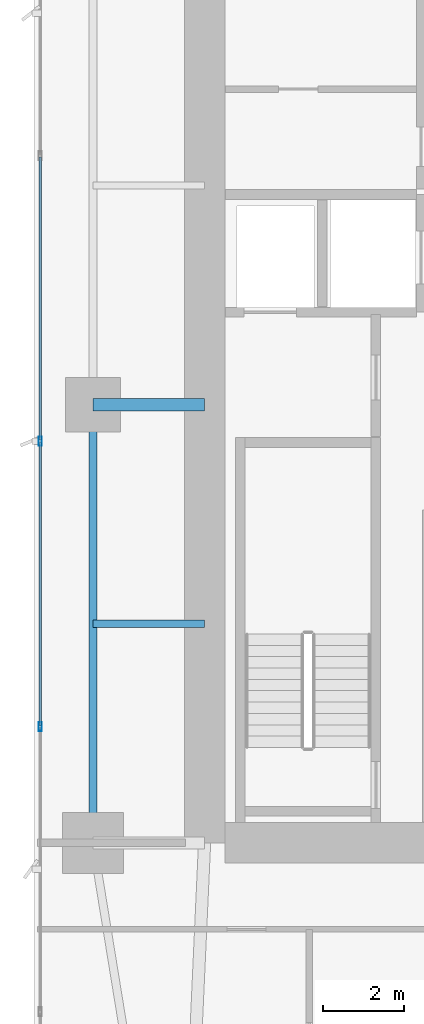
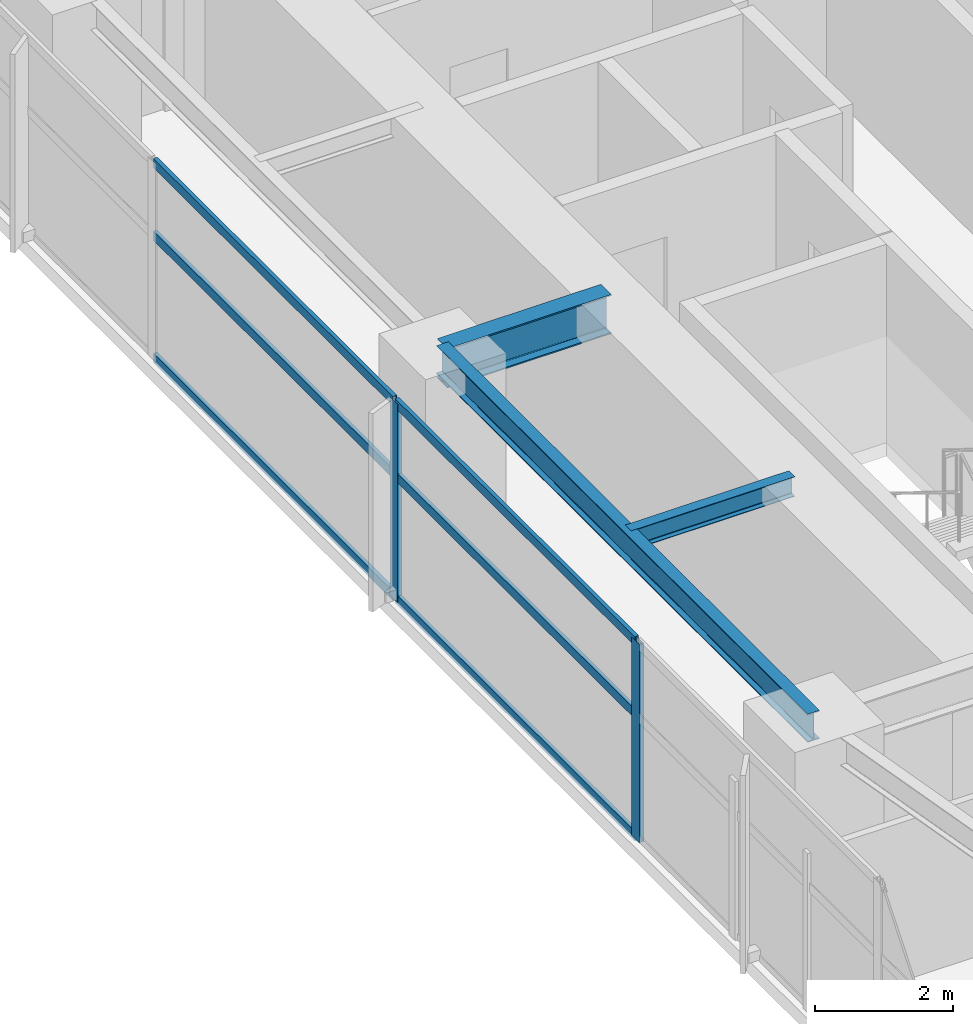
# One storey, part 7 of 28: 8 members, 3 beams, 1 element without a shape of its own.
"""IFC4 building model written with IfcOpenShell, lengths in metres."""

from ifc_helpers import new_model, si_unit, direction, frame, origin, origin_2d, place, context, subcontext, project, spatial, hollow_rectangle, i_section, extrude, material, layer, layer_set, material_profile, profile_set, type_object, element, aggregate, save


model = new_model("IFC4")

# Units and contexts
model_context = context("Model", 3, precision=1e-05, world=origin(), true_north=direction((0.0, 1.0)))
body_context = subcontext(model_context, "Body", "Model", "MODEL_VIEW")
ifc_project = project(units=[si_unit("LENGTHUNIT", "METRE"), si_unit("AREAUNIT", "SQUARE_METRE"), si_unit("VOLUMEUNIT", "CUBIC_METRE"), si_unit("PLANEANGLEUNIT", "RADIAN"), si_unit("MASSUNIT", "GRAM", prefix="KILO")], contexts=[model_context])

# Site, building, storey
site_placement = place(None, origin())
site = spatial("IfcSite", under=ifc_project, at=site_placement, CompositionType="ELEMENT")
building_placement = place(site_placement, origin())
building = spatial("IfcBuilding", under=site, at=building_placement, Name="Calvorn Quay Hotel", CompositionType="ELEMENT")
storey_placement = place(building_placement, frame((0.0, 0.0, 88.800048828125)))
storey = spatial("IfcBuildingStorey", under=building, at=storey_placement, Name="L21", CompositionType="ELEMENT", Elevation=88.800048828125)

# Beams
ifc_material_1 = material(Name="Steel Q390GJC", Category="steel")
ifc_material_profile_1 = material_profile(ifc_material_1, i_section(OverallWidth=0.300048828125, OverallDepth=0.699951171875, WebThickness=0.012939453125, FlangeThickness=0.02392578125, FilletRadius=0.02392578125, at=origin_2d()), Name="HN700x300x13x24")
ifc_profile_set_1 = profile_set([ifc_material_profile_1], Name="Steel Q390GJC")
beam_type_1 = type_object("IfcBeamType", Name="BM-GIRD-MAIN", PredefinedType="BEAM", material=ifc_profile_set_1)
beam_1_placement = place(storey_placement, frame((1.449951171875, 27.60009765625, 3.169921875), z_axis=(1.0, 0.0, 0.0), x_axis=(0.0, 1.0, 0.0)))
element("IfcBeam", 1, at=beam_1_placement, inside=storey, type_object=beam_type_1, Name="Beam BG-L21-W2", PredefinedType="BEAM", context=body_context, shape_type="SweptSolid", body=[
    extrude(i_section(OverallWidth=0.300048828125, OverallDepth=0.699951171875, WebThickness=0.012939453125, FlangeThickness=0.02392578125, FilletRadius=0.02392578125, at=origin_2d()), origin(), (0.0, 0.0, 1.0), 2.75),
])
ifc_material_2 = material(Name="Steel Q355B", Category="steel")
ifc_material_profile_2 = material_profile(ifc_material_2, i_section(OverallWidth=0.175048828125, OverallDepth=0.35009765625, WebThickness=0.007080078125, FlangeThickness=0.010986328125, FilletRadius=0.013916015625, at=origin_2d()), Name="HN350x175x7x11")
ifc_profile_set_2 = profile_set([ifc_material_profile_2], Name="Steel Q355B")
beam_type_2 = type_object("IfcBeamType", Name="BM-JOIST-SEC", PredefinedType="JOIST", material=ifc_profile_set_2)
beam_2_placement = place(storey_placement, frame((1.449951171875, 22.199951171875, 3.344970703125), z_axis=(1.0, 0.0, 0.0), x_axis=(0.0, 1.0, 0.0)))
element("IfcBeam", 2, at=beam_2_placement, inside=storey, type_object=beam_type_2, Name="Beam BJ-L21-W3", PredefinedType="JOIST", context=body_context, shape_type="SweptSolid", body=[
    extrude(i_section(OverallWidth=0.175048828125, OverallDepth=0.35009765625, WebThickness=0.007080078125, FlangeThickness=0.010986328125, FilletRadius=0.013916015625, at=origin_2d()), origin(), (0.0, 0.0, 1.0), 2.75),
])
ifc_material_3 = material(Name="Steel Q355B", Category="steel")
ifc_material_profile_3 = material_profile(ifc_material_3, i_section(OverallWidth=0.199951171875, OverallDepth=0.5, WebThickness=0.010009765625, FlangeThickness=0.01611328125, FilletRadius=0.01611328125, at=origin_2d()), Name="HN500x200x10x16")
ifc_profile_set_3 = profile_set([ifc_material_profile_3], Name="Steel Q355B")
beam_type_3 = type_object("IfcBeamType", Name="BM-SPANDREL-Z1", PredefinedType="SPANDREL", material=ifc_profile_set_3)
beam_3_placement = place(storey_placement, frame((1.449951171875, 16.800048828125, 3.27001953125), z_axis=(0.0, 1.0, 0.0), x_axis=(-1.0, 0.0, 0.0)))
element("IfcBeam", 3, at=beam_3_placement, inside=storey, type_object=beam_type_3, Name="Beam BSP-L21-W2", PredefinedType="SPANDREL", context=body_context, shape_type="SweptSolid", body=[
    extrude(i_section(OverallWidth=0.199951171875, OverallDepth=0.5, WebThickness=0.010009765625, FlangeThickness=0.01611328125, FilletRadius=0.01611328125, at=origin_2d()), origin(), (0.0, 0.0, 1.0), 10.800048828125),
])

# Curtain wall, members
ifc_material_4 = material(Name="Pale Anodised Aluminium and Low-E Glass", Category="aluminium")
ifc_layer = layer(ifc_material_4, 0.219970703125)
ifc_layer_set = layer_set([ifc_layer], Name="CW-SYS-Z1")
curtain_wall_type = type_object("IfcCurtainWallType", Name="CW-SYS-Z1", PredefinedType="NOTDEFINED", material=ifc_layer_set)
curtain_wall_placement = place(storey_placement, origin())
curtain_wall = element("IfcCurtainWall", 4, at=curtain_wall_placement, inside=storey, type_object=curtain_wall_type, Name="Tower West Curtain Wall (L21)", PredefinedType="NOTDEFINED")
ifc_material_5 = material(Name="Pale Anodised Aluminium 6063-T6", Category="aluminium")
ifc_material_profile_4 = material_profile(ifc_material_5, hollow_rectangle(XDim=0.074951171875, YDim=0.219970703125, WallThickness=0.00439453125, at=origin_2d()), Name="ALU-M220x75x4.5")
ifc_profile_set_4 = profile_set([ifc_material_profile_4], Name="Pale Anodised Aluminium 6063-T6")
member_type_1 = type_object("IfcMemberType", Name="CW-SYS-Z1-MUL", PredefinedType="MULLION", material=ifc_profile_set_4)
member_1_placement = place(storey_placement, frame((0.14990234375, 19.666748046875, 0.0), z_axis=(0.0, 0.0, 1.0), x_axis=(-1.0, 0.0, 0.0)))
member_1 = element("IfcMember", 5, at=member_1_placement, type_object=member_type_1, Name="CW-L21-W mullion 3", PredefinedType="MULLION", context=body_context, shape_type="SweptSolid", body=[
    extrude(hollow_rectangle(XDim=0.074951171875, YDim=0.219970703125, WallThickness=0.00439453125, at=origin_2d()), origin(), (0.0, 0.0, 1.0), 3.52001953125),
])
member_2_placement = place(storey_placement, frame((0.14990234375, 26.699951171875, 0.0), z_axis=(0.0, 0.0, 1.0), x_axis=(-1.0, 0.0, 0.0)))
member_2 = element("IfcMember", 6, at=member_2_placement, type_object=member_type_1, Name="CW-L21-W mullion 4", PredefinedType="MULLION", context=body_context, shape_type="SweptSolid", body=[
    extrude(hollow_rectangle(XDim=0.074951171875, YDim=0.219970703125, WallThickness=0.00439453125, at=origin_2d()), origin(), (0.0, 0.0, 1.0), 3.52001953125),
])
ifc_material_6 = material(Name="Pale Anodised Aluminium 6063-T6", Category="aluminium")
ifc_material_profile_5 = material_profile(ifc_material_6, hollow_rectangle(XDim=0.06494140625, YDim=0.1650390625, WallThickness=0.00341796875, at=origin_2d()), Name="ALU-T165x65x3.5")
ifc_profile_set_5 = profile_set([ifc_material_profile_5], Name="Pale Anodised Aluminium 6063-T6")
member_type_2 = type_object("IfcMemberType", Name="CW-SYS-Z1-TRN", PredefinedType="USERDEFINED", material=ifc_profile_set_5)
member_3_placement = place(storey_placement, frame((0.14990234375, 19.69677734375, 0.030029296875), z_axis=(0.0, 1.0, 0.0), x_axis=(-1.0, 0.0, 0.0)))
member_3 = element("IfcMember", 7, at=member_3_placement, type_object=member_type_2, Name="CW-L21-W transom 3.1", ObjectType="TRANSOM", PredefinedType="USERDEFINED", context=body_context, shape_type="SweptSolid", body=[
    extrude(hollow_rectangle(XDim=0.06494140625, YDim=0.1650390625, WallThickness=0.00341796875, at=origin_2d()), origin(), (0.0, 0.0, 1.0), 6.97314453125),
])
member_4_placement = place(storey_placement, frame((0.14990234375, 19.69677734375, 2.199951171875), z_axis=(0.0, 1.0, 0.0), x_axis=(-1.0, 0.0, 0.0)))
member_4 = element("IfcMember", 8, at=member_4_placement, type_object=member_type_2, Name="CW-L21-W transom 3.2", ObjectType="TRANSOM", PredefinedType="USERDEFINED", context=body_context, shape_type="SweptSolid", body=[
    extrude(hollow_rectangle(XDim=0.06494140625, YDim=0.1650390625, WallThickness=0.00341796875, at=origin_2d()), origin(), (0.0, 0.0, 1.0), 6.97314453125),
])
member_5_placement = place(storey_placement, frame((0.14990234375, 19.69677734375, 3.489990234375), z_axis=(0.0, 1.0, 0.0), x_axis=(-1.0, 0.0, 0.0)))
member_5 = element("IfcMember", 9, at=member_5_placement, type_object=member_type_2, Name="CW-L21-W transom 3.3", ObjectType="TRANSOM", PredefinedType="USERDEFINED", context=body_context, shape_type="SweptSolid", body=[
    extrude(hollow_rectangle(XDim=0.06494140625, YDim=0.1650390625, WallThickness=0.00341796875, at=origin_2d()), origin(), (0.0, 0.0, 1.0), 6.97314453125),
])
member_6_placement = place(storey_placement, frame((0.14990234375, 26.72998046875, 0.030029296875), z_axis=(0.0, 1.0, 0.0), x_axis=(-1.0, 0.0, 0.0)))
member_6 = element("IfcMember", 10, at=member_6_placement, type_object=member_type_2, Name="CW-L21-W transom 4.1", ObjectType="TRANSOM", PredefinedType="USERDEFINED", context=body_context, shape_type="SweptSolid", body=[
    extrude(hollow_rectangle(XDim=0.06494140625, YDim=0.1650390625, WallThickness=0.00341796875, at=origin_2d()), origin(), (0.0, 0.0, 1.0), 6.973388671875),
])
member_7_placement = place(storey_placement, frame((0.14990234375, 26.72998046875, 2.199951171875), z_axis=(0.0, 1.0, 0.0), x_axis=(-1.0, 0.0, 0.0)))
member_7 = element("IfcMember", 11, at=member_7_placement, type_object=member_type_2, Name="CW-L21-W transom 4.2", ObjectType="TRANSOM", PredefinedType="USERDEFINED", context=body_context, shape_type="SweptSolid", body=[
    extrude(hollow_rectangle(XDim=0.06494140625, YDim=0.1650390625, WallThickness=0.00341796875, at=origin_2d()), origin(), (0.0, 0.0, 1.0), 6.973388671875),
])
member_8_placement = place(storey_placement, frame((0.14990234375, 26.72998046875, 3.489990234375), z_axis=(0.0, 1.0, 0.0), x_axis=(-1.0, 0.0, 0.0)))
member_8 = element("IfcMember", 12, at=member_8_placement, type_object=member_type_2, Name="CW-L21-W transom 4.3", ObjectType="TRANSOM", PredefinedType="USERDEFINED", context=body_context, shape_type="SweptSolid", body=[
    extrude(hollow_rectangle(XDim=0.06494140625, YDim=0.1650390625, WallThickness=0.00341796875, at=origin_2d()), origin(), (0.0, 0.0, 1.0), 6.973388671875),
])
aggregate(curtain_wall, [member_1, member_2, member_3, member_4, member_5, member_6, member_7, member_8])

save(model, "model.ifc")
